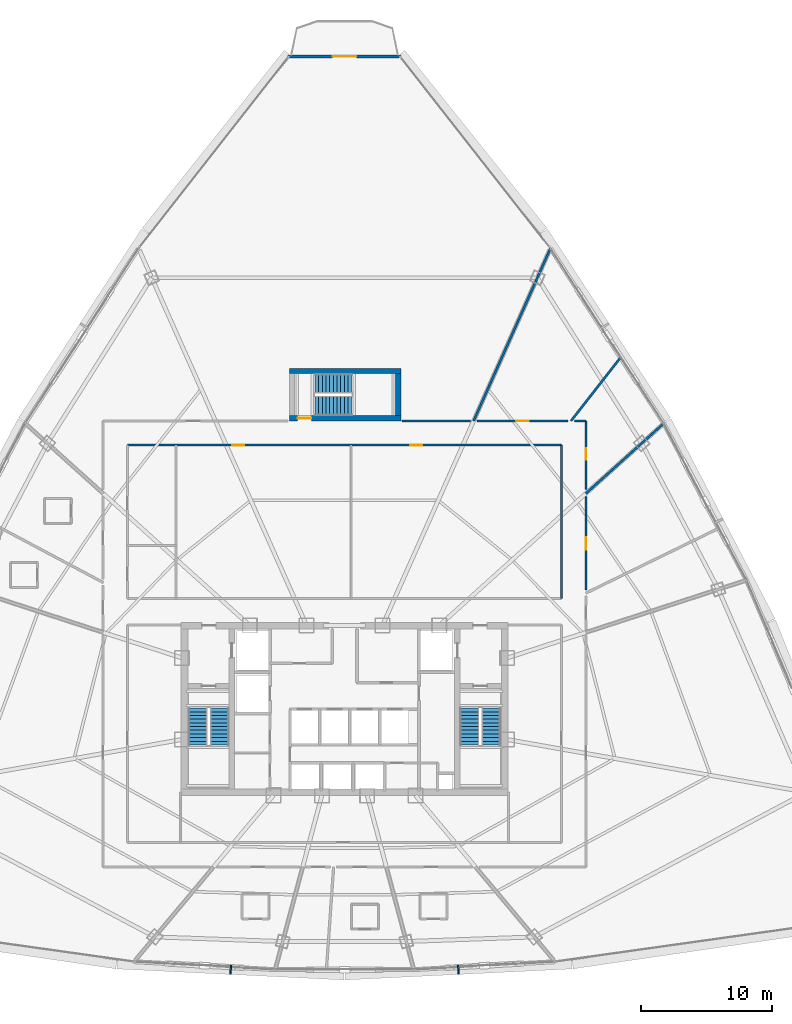
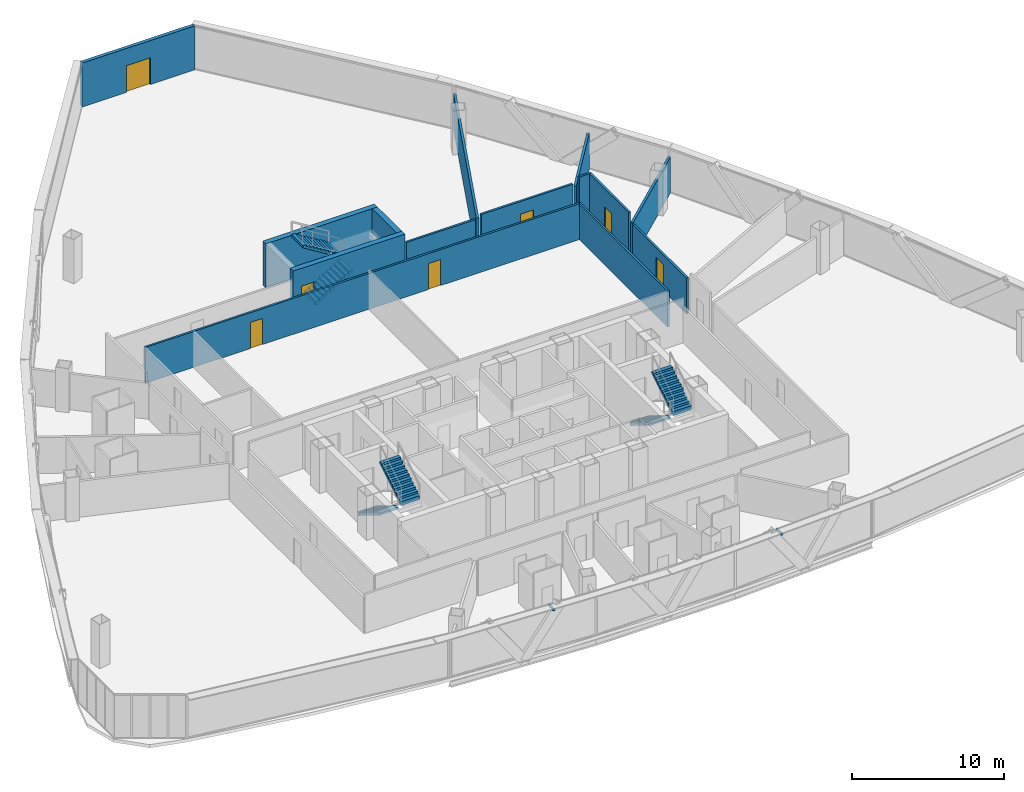
# One storey, part 35 of 40: 14 walls, 7 doors, 6 stair flights, 2 discrete accessories, 7 openings, 3 elements without a shape of their own.
"""IFC4 building model written with IfcOpenShell, lengths in metres."""

from ifc_helpers import new_model, si_unit, direction, frame, frame_2d, origin, origin_with_axes, origin_2d, place, context, subcontext, project, spatial, polyline, rectangle, outline, extrude, source, transform, mapped, material, layer, layer_set, type_object, element, fill, aggregate, save


model = new_model("IFC4")

# Units and contexts
model_context = context("Model", 3, precision=1e-05, world=origin(), true_north=direction((0.0, 1.0)))
body_context = subcontext(model_context, "Body", "Model", "MODEL_VIEW")
ifc_project = project(units=[si_unit("LENGTHUNIT", "METRE"), si_unit("AREAUNIT", "SQUARE_METRE"), si_unit("VOLUMEUNIT", "CUBIC_METRE"), si_unit("PLANEANGLEUNIT", "RADIAN"), si_unit("MASSUNIT", "GRAM", prefix="KILO"), si_unit("THERMODYNAMICTEMPERATUREUNIT", "KELVIN"), si_unit("POWERUNIT", "WATT")], contexts=[model_context])

# Site, building, storey
site_placement = place(None, origin())
site = spatial("IfcSite", under=ifc_project, at=site_placement, CompositionType="ELEMENT")
building_placement = place(site_placement, origin())
building = spatial("IfcBuilding", under=site, at=building_placement, Name="Yunzhuo Pagoda Commons", CompositionType="ELEMENT")
storey_placement = place(building_placement, frame((0.0, 0.0, 184.760009765625)))
storey = spatial("IfcBuildingStorey", under=building, at=storey_placement, Name="L46", CompositionType="ELEMENT", Elevation=184.760009765625)

# Wall, opening, door
ifc_material_1 = material(Name="Precast concrete C40", Category="concrete")
ifc_layer_1 = layer(ifc_material_1, 0.260009765625)
ifc_layer_set_1 = layer_set([ifc_layer_1], Name="Precast concrete C40")
wall_type_1 = type_object("IfcWallType", Name="W-BAL1 Corner Balcony Threshold Wall 260", PredefinedType="STANDARD", material=ifc_layer_set_1)
wall_1_placement = place(storey_placement, frame((52.290283203125, 83.582763671875, 0.0), z_axis=(0.0, 0.0, 1.0), x_axis=(-1.0, 0.0, 0.0)))
wall_1 = element("IfcWall", 1, at=wall_1_placement, inside=storey, type_object=wall_type_1, Name="L46 corner balcony wall V3", PredefinedType="STANDARD", context=body_context, shape_type="SweptSolid", body=[
    extrude(rectangle(XDim=8.58056640625, YDim=0.260009765625, at=frame_2d((4.290283203125, 0.0))), origin(), (0.0, 0.0, 1.0), 3.5400390625),
])
opening_1_placement = place(wall_1_placement, frame((3.390380859375, 0.0, 0.0)))
opening_1 = element("IfcOpeningElement", 2, at=opening_1_placement, cuts=wall_1, Name="Opening D-BAL1", PredefinedType="OPENING", context=body_context, shape_type="SweptSolid", body=[
    extrude(rectangle(XDim=1.800048828125, YDim=2.14990234375, at=frame_2d((0.89990234375, 1.074951171875))), frame((0.0, 0.14013671875, 0.0), z_axis=(0.0, -1.0, 0.0), x_axis=(1.0, 0.0, 0.0)), (0.0, 0.0, 1.0), 0.280029296875),
])
ifc_material_2 = material(Name="Anodized aluminium frame and tempered glazed leaf", Category="aluminium")
door_type_1 = type_object("IfcDoorType", Name="D-BAL1 Corner Balcony Sliding Glazed Door 1800x2150", OperationType="DOUBLE_DOOR_SLIDING", PredefinedType="DOOR", material=ifc_material_2)
shared_shape_1 = source(origin(), body_context, "Body", "SweptSolid", [
    extrude(rectangle(XDim=1.800048828125, YDim=2.14990234375, at=frame_2d((0.89990234375, 1.074951171875))), frame((0.0, 0.02490234375, 0.0), z_axis=(0.0, -1.0, 0.0), x_axis=(1.0, 0.0, 0.0)), (0.0, 0.0, 1.0), 0.050048828125),
])
door_1_placement = place(opening_1_placement, origin_with_axes())
door_1 = element("IfcDoor", 3, at=door_1_placement, inside=storey, type_object=door_type_1, Name="L46 corner balcony sliding door V3", OperationType="DOUBLE_DOOR_SLIDING", OverallHeight=2.14990234375, OverallWidth=1.800048828125, PredefinedType="DOOR", context=body_context, shape_type="MappedRepresentation", body=[
    mapped(shared_shape_1, transform((0.0, 0.0, 0.0), scale=1.0)),
])
fill(opening_1, door_1)

# Wall, openings, doors
ifc_material_3 = material(Name="Gypsum plasterboard on acoustic stud")
ifc_layer_2 = layer(ifc_material_3, 0.155029296875)
ifc_layer_set_2 = layer_set([ifc_layer_2], Name="Gypsum plasterboard on acoustic stud")
wall_type_2 = type_object("IfcWallType", Name="W-COR2 Mid-Zone Rated Corridor Wall 155", PredefinedType="PARTITIONING", material=ifc_layer_set_2)
wall_2_placement = place(storey_placement, frame((31.449951171875, 53.949951171875, 0.0), z_axis=(0.0, 0.0, 1.0), x_axis=(1.0, 0.0, 0.0)))
wall_2 = element("IfcWall", 4, at=wall_2_placement, inside=storey, type_object=wall_type_2, Name="L46 interior wall IW-L46-MCNN", PredefinedType="PARTITIONING", context=body_context, shape_type="SweptSolid", body=[
    extrude(rectangle(XDim=33.10009765625, YDim=0.155029296875, at=frame_2d((16.550048828125, 0.0))), origin(), (0.0, 0.0, 1.0), 2.889892578125),
])
opening_2_placement = place(wall_2_placement, frame((8.0, 0.0, 0.0)))
opening_2 = element("IfcOpeningElement", 5, at=opening_2_placement, cuts=wall_2, Name="Opening D-04", PredefinedType="OPENING", context=body_context, shape_type="SweptSolid", body=[
    extrude(rectangle(XDim=0.919921875, YDim=2.10009765625, at=frame_2d((0.4599609375, 1.050048828125))), frame((0.0, 0.08740234375, 0.0), z_axis=(0.0, -1.0, 0.0), x_axis=(1.0, 0.0, 0.0)), (0.0, 0.0, 1.0), 0.175048828125),
])
opening_3_placement = place(wall_2_placement, frame((21.550048828125, 0.0, 0.0)))
opening_3 = element("IfcOpeningElement", 6, at=opening_3_placement, cuts=wall_2, Name="Opening D-04", PredefinedType="OPENING", context=body_context, shape_type="SweptSolid", body=[
    extrude(rectangle(XDim=0.919921875, YDim=2.10009765625, at=frame_2d((0.4599609375, 1.050048828125))), frame((0.0, 0.08740234375, 0.0), z_axis=(0.0, -1.0, 0.0), x_axis=(1.0, 0.0, 0.0)), (0.0, 0.0, 1.0), 0.175048828125),
])
ifc_material_4 = material(Name="Powder-coated aluminium and timber acoustic leaf", Category="wood")
door_type_2 = type_object("IfcDoorType", Name="D-04 Bedroom & Study Interior Door 920x2100", OperationType="NOTDEFINED", PredefinedType="DOOR", material=ifc_material_4)
shared_shape_2 = source(origin(), body_context, "Body", "SweptSolid", [
    extrude(rectangle(XDim=0.919921875, YDim=2.10009765625, at=frame_2d((0.4599609375, 1.050048828125))), frame((0.0, 0.02490234375, 0.0), z_axis=(0.0, -1.0, 0.0), x_axis=(1.0, 0.0, 0.0)), (0.0, 0.0, 1.0), 0.050048828125),
])
door_2_placement = place(opening_2_placement, origin_with_axes())
door_2 = element("IfcDoor", 7, at=door_2_placement, inside=storey, type_object=door_type_2, Name="L46 reading commons door", OperationType="SINGLE_SWING_LEFT", OverallHeight=2.10009765625, OverallWidth=0.919921875, PredefinedType="DOOR", context=body_context, shape_type="MappedRepresentation", body=[
    mapped(shared_shape_2, transform((0.0, 0.0, 0.0), scale=1.0)),
])
fill(opening_2, door_2)
door_3_placement = place(opening_3_placement, origin_with_axes())
door_3 = element("IfcDoor", 8, at=door_3_placement, inside=storey, type_object=door_type_2, Name="L46 seminar commons door", OperationType="SINGLE_SWING_RIGHT", OverallHeight=2.10009765625, OverallWidth=0.919921875, PredefinedType="DOOR", context=body_context, shape_type="MappedRepresentation", body=[
    mapped(shared_shape_2, transform((0.0, 0.0, 0.0), scale=1.0)),
])
fill(opening_3, door_3)

# Walls
wall_3_placement = place(storey_placement, frame((64.550048828125, 42.25, 0.0), z_axis=(0.0, 0.0, 1.0), x_axis=(0.0, 1.0, 0.0)))
element("IfcWall", 9, at=wall_3_placement, inside=storey, type_object=wall_type_2, Name="L46 interior wall IW-L46-MCNE", PredefinedType="PARTITIONING", context=body_context, shape_type="SweptSolid", body=[
    extrude(rectangle(XDim=11.699951171875, YDim=0.155029296875, at=frame_2d((5.85009765625, 0.0))), origin(), (0.0, 0.0, 1.0), 2.889892578125),
])
wall_4_placement = place(storey_placement, frame((52.39111328125, 55.800048828125, 0.0), z_axis=(0.0, 0.0, 1.0), x_axis=(1.0, 0.0, 0.0)))
element("IfcWall", 10, at=wall_4_placement, inside=storey, type_object=wall_type_2, Name="L46 interior wall IW-L46-CWL06", PredefinedType="PARTITIONING", context=body_context, shape_type="SweptSolid", body=[
    extrude(rectangle(XDim=5.228759765625, YDim=0.155029296875, at=frame_2d((2.6142578125, 0.0))), origin(), (0.0, 0.0, 1.0), 2.889892578125),
])

# Wall, opening, door
wall_5_placement = place(storey_placement, frame((58.080322265625, 55.800048828125, 0.0), z_axis=(0.0, 0.0, 1.0), x_axis=(1.0, 0.0, 0.0)))
wall_5 = element("IfcWall", 11, at=wall_5_placement, inside=storey, type_object=wall_type_2, Name="L46 interior wall IW-L46-CWL07", PredefinedType="PARTITIONING", context=body_context, shape_type="SweptSolid", body=[
    extrude(rectangle(XDim=6.96630859375, YDim=0.155029296875, at=frame_2d((3.483154296875, 0.0))), origin(), (0.0, 0.0, 1.0), 3.139892578125),
])
opening_4_placement = place(wall_5_placement, frame((2.99755859375, 0.0, 0.0)))
opening_4 = element("IfcOpeningElement", 12, at=opening_4_placement, cuts=wall_5, Name="Opening D-07", PredefinedType="OPENING", context=body_context, shape_type="SweptSolid", body=[
    extrude(rectangle(XDim=0.9599609375, YDim=2.1201171875, at=frame_2d((0.47998046875, 1.06005859375))), frame((0.0, 0.08740234375, 0.0), z_axis=(0.0, -1.0, 0.0), x_axis=(1.0, 0.0, 0.0)), (0.0, 0.0, 1.0), 0.175048828125),
])
ifc_material_5 = material(Name="Galvanized fire-resisting metal leaf")
door_type_3 = type_object("IfcDoorType", Name="D-07 Mid-Zone Suite Entrance Fire Door 960x2120", OperationType="NOTDEFINED", PredefinedType="DOOR", material=ifc_material_5)
shared_shape_3 = source(origin(), body_context, "Body", "SweptSolid", [
    extrude(rectangle(XDim=0.9599609375, YDim=2.1201171875, at=frame_2d((0.47998046875, 1.06005859375))), frame((0.0, 0.02490234375, 0.0), z_axis=(0.0, -1.0, 0.0), x_axis=(1.0, 0.0, 0.0)), (0.0, 0.0, 1.0), 0.050048828125),
])
door_4_placement = place(opening_4_placement, origin_with_axes())
door_4 = element("IfcDoor", 13, at=door_4_placement, inside=storey, type_object=door_type_3, Name="L46 unit 04 entrance door", OperationType="SINGLE_SWING_RIGHT", OverallHeight=2.1201171875, OverallWidth=0.9599609375, PredefinedType="DOOR", context=body_context, shape_type="MappedRepresentation", body=[
    mapped(shared_shape_3, transform((0.0, 0.0, 0.0), scale=1.0)),
])
fill(opening_4, door_4)

# Wall
wall_6_placement = place(storey_placement, frame((65.545654296875, 55.800048828125, 0.0), z_axis=(0.0, 0.0, 1.0), x_axis=(1.0, 0.0, 0.0)))
element("IfcWall", 14, at=wall_6_placement, inside=storey, type_object=wall_type_2, Name="L46 interior wall IW-L46-CWL08", PredefinedType="PARTITIONING", context=body_context, shape_type="SweptSolid", body=[
    extrude(rectangle(XDim=0.854248046875, YDim=0.155029296875, at=frame_2d((0.42724609375, 0.0))), origin(), (0.0, 0.0, 1.0), 3.5400390625),
])

# Wall, opening, door
wall_7_placement = place(storey_placement, frame((66.39990234375, 55.800048828125, 0.0), z_axis=(0.0, 0.0, 1.0), x_axis=(0.0, -1.0, 0.0)))
wall_7 = element("IfcWall", 15, at=wall_7_placement, inside=storey, type_object=wall_type_2, Name="L46 interior wall IW-L46-CWL09", PredefinedType="PARTITIONING", context=body_context, shape_type="SweptSolid", body=[
    extrude(rectangle(XDim=5.236572265625, YDim=0.155029296875, at=frame_2d((2.6181640625, 0.0))), origin(), (0.0, 0.0, 1.0), 3.5400390625),
])
opening_5_placement = place(wall_7_placement, frame((2.076416015625, 0.0, 0.0)))
opening_5 = element("IfcOpeningElement", 16, at=opening_5_placement, cuts=wall_7, Name="Opening D-12", PredefinedType="OPENING", context=body_context, shape_type="SweptSolid", body=[
    extrude(rectangle(XDim=0.89990234375, YDim=2.080078125, at=frame_2d((0.449951171875, 1.0400390625))), frame((0.0, 0.08740234375, 0.0), z_axis=(0.0, -1.0, 0.0), x_axis=(1.0, 0.0, 0.0)), (0.0, 0.0, 1.0), 0.175048828125),
])
door_type_4 = type_object("IfcDoorType", Name="D-12 Quiet Study Interior Door 900x2080", OperationType="NOTDEFINED", PredefinedType="DOOR", material=ifc_material_4)
shared_shape_4 = source(origin(), body_context, "Body", "SweptSolid", [
    extrude(rectangle(XDim=0.89990234375, YDim=2.080078125, at=frame_2d((0.449951171875, 1.0400390625))), frame((0.0, 0.02490234375, 0.0), z_axis=(0.0, -1.0, 0.0), x_axis=(1.0, 0.0, 0.0)), (0.0, 0.0, 1.0), 0.050048828125),
])
door_5_placement = place(opening_5_placement, origin_with_axes())
door_5 = element("IfcDoor", 17, at=door_5_placement, inside=storey, type_object=door_type_4, Name="L46 study lounge 03 door", OperationType="SINGLE_SWING_LEFT", OverallHeight=2.080078125, OverallWidth=0.89990234375, PredefinedType="DOOR", context=body_context, shape_type="MappedRepresentation", body=[
    mapped(shared_shape_4, transform((0.0, 0.0, 0.0), scale=1.0)),
])
fill(opening_5, door_5)

wall_8_placement = place(storey_placement, frame((66.39990234375, 50.047607421875, 0.0), z_axis=(0.0, 0.0, 1.0), x_axis=(0.0, -1.0, 0.0)))
wall_8 = element("IfcWall", 18, at=wall_8_placement, inside=storey, type_object=wall_type_2, Name="L46 interior wall IW-L46-CWL10", PredefinedType="PARTITIONING", context=body_context, shape_type="SweptSolid", body=[
    extrude(rectangle(XDim=7.12841796875, YDim=0.155029296875, at=frame_2d((3.564208984375, 0.0))), origin(), (0.0, 0.0, 1.0), 2.889892578125),
])
opening_6_placement = place(wall_8_placement, frame((3.101806640625, 0.0, 0.0)))
opening_6 = element("IfcOpeningElement", 19, at=opening_6_placement, cuts=wall_8, Name="Opening D-07", PredefinedType="OPENING", context=body_context, shape_type="SweptSolid", body=[
    extrude(rectangle(XDim=0.9599609375, YDim=2.1201171875, at=frame_2d((0.47998046875, 1.06005859375))), frame((0.0, 0.08740234375, 0.0), z_axis=(0.0, -1.0, 0.0), x_axis=(1.0, 0.0, 0.0)), (0.0, 0.0, 1.0), 0.175048828125),
])
door_6_placement = place(opening_6_placement, origin_with_axes())
door_6 = element("IfcDoor", 20, at=door_6_placement, inside=storey, type_object=door_type_3, Name="L46 unit 02 entrance door", OperationType="SINGLE_SWING_RIGHT", OverallHeight=2.1201171875, OverallWidth=0.9599609375, PredefinedType="DOOR", context=body_context, shape_type="MappedRepresentation", body=[
    mapped(shared_shape_3, transform((0.0, 0.0, 0.0), scale=1.0)),
])
fill(opening_6, door_6)

# Walls
ifc_layer_3 = layer(ifc_material_3, 0.175048828125)
ifc_layer_set_3 = layer_set([ifc_layer_3], Name="Gypsum plasterboard on acoustic stud")
wall_type_3 = type_object("IfcWallType", Name="W-PRT3 Mid-Zone Demising Wall 175", PredefinedType="PARTITIONING", material=ifc_layer_set_3)
wall_9_placement = place(storey_placement, frame((66.39990234375, 50.267333984375, 0.0), z_axis=(0.0, 0.0, 1.0), x_axis=(0.743139097079, 0.669136968335, 0.0)))
element("IfcWall", 21, at=wall_9_placement, inside=storey, type_object=wall_type_3, Name="L46 interior wall IW-L46-RAD03", PredefinedType="PARTITIONING", context=body_context, shape_type="SweptSolid", body=[
    extrude(rectangle(XDim=7.987060546875, YDim=0.175048828125, at=frame_2d((3.99365234375, 0.0))), origin(), (0.0, 0.0, 1.0), 2.889892578125),
])
wall_10_placement = place(storey_placement, frame((65.266357421875, 55.800048828125, 0.0), z_axis=(0.0, 0.0, 1.0), x_axis=(0.615677811369, 0.787997990218, 0.0)))
element("IfcWall", 22, at=wall_10_placement, inside=storey, type_object=wall_type_3, Name="L46 interior wall IW-L46-RAD04", PredefinedType="PARTITIONING", context=body_context, shape_type="SweptSolid", body=[
    extrude(rectangle(XDim=6.1728515625, YDim=0.175048828125, at=frame_2d((3.08642578125, 0.0))), origin(), (0.0, 0.0, 1.0), 2.889892578125),
])
wall_11_placement = place(storey_placement, frame((57.839599609375, 55.800048828125, 0.0), z_axis=(0.0, 0.0, 1.0), x_axis=(0.40674529891, 0.913541603768, 0.0)))
element("IfcWall", 23, at=wall_11_placement, inside=storey, type_object=wall_type_3, Name="L46 interior wall IW-L46-RAD05", PredefinedType="PARTITIONING", context=body_context, shape_type="SweptSolid", body=[
    extrude(rectangle(XDim=14.40673828125, YDim=0.175048828125, at=frame_2d((7.203369140625, 0.0))), origin(), (0.0, 0.0, 1.0), 2.889892578125),
])
ifc_material_6 = material(Name="Concrete C60", Category="concrete")
ifc_layer_4 = layer(ifc_material_6, 0.39990234375)
ifc_layer_set_4 = layer_set([ifc_layer_4], Name="Concrete C60")
wall_type_4 = type_object("IfcWallType", Name="W-S01 Internal Core Shear Web 400", PredefinedType="SHEAR", material=ifc_layer_set_4)
wall_12_placement = place(storey_placement, frame((43.800048828125, 59.60009765625, 0.0), z_axis=(0.0, 0.0, 1.0), x_axis=(1.0, 0.0, 0.0)))
element("IfcWall", 24, at=wall_12_placement, inside=storey, type_object=wall_type_4, Name="L46 ST3 structural stair wall N", PredefinedType="SHEAR", context=body_context, shape_type="SweptSolid", body=[
    extrude(rectangle(XDim=8.5, YDim=0.39990234375, at=frame_2d((4.25, 0.0))), origin(), (0.0, 0.0, 1.0), 3.5400390625),
])

# Wall, opening, door
wall_13_placement = place(storey_placement, frame((43.800048828125, 56.0, 0.0), z_axis=(0.0, 0.0, 1.0), x_axis=(1.0, 0.0, 0.0)))
wall_13 = element("IfcWall", 25, at=wall_13_placement, inside=storey, type_object=wall_type_4, Name="L46 ST3 structural stair wall S", PredefinedType="SHEAR", context=body_context, shape_type="SweptSolid", body=[
    extrude(rectangle(XDim=8.5, YDim=0.39990234375, at=frame_2d((4.25, 0.0))), origin(), (0.0, 0.0, 1.0), 3.5400390625),
])
opening_7_placement = place(wall_13_placement, frame((0.6201171875, 0.0, 0.0)))
opening_7 = element("IfcOpeningElement", 26, at=opening_7_placement, cuts=wall_13, Name="Opening D-01", PredefinedType="OPENING", context=body_context, shape_type="SweptSolid", body=[
    extrude(rectangle(XDim=1.050048828125, YDim=2.10009765625, at=frame_2d((0.52490234375, 1.050048828125))), frame((0.0, 0.2099609375, 0.0), z_axis=(0.0, -1.0, 0.0), x_axis=(1.0, 0.0, 0.0)), (0.0, 0.0, 1.0), 0.419921875),
])
door_type_5 = type_object("IfcDoorType", Name="D-01 Smokeproof Stair Fire Door 1050x2100", OperationType="NOTDEFINED", PredefinedType="DOOR", material=ifc_material_5)
shared_shape_5 = source(origin(), body_context, "Body", "SweptSolid", [
    extrude(rectangle(XDim=1.050048828125, YDim=2.10009765625, at=frame_2d((0.52490234375, 1.050048828125))), frame((0.0, 0.02490234375, 0.0), z_axis=(0.0, -1.0, 0.0), x_axis=(1.0, 0.0, 0.0)), (0.0, 0.0, 1.0), 0.050048828125),
])
door_7_placement = place(opening_7_placement, frame((1.050048828125, 0.0, 0.0), z_axis=(0.0, 0.0, 1.0), x_axis=(-1.0, 0.0, 0.0)))
door_7 = element("IfcDoor", 27, at=door_7_placement, inside=storey, type_object=door_type_5, Name="L46 Stair ST3 fire door", OperationType="SINGLE_SWING_LEFT", OverallHeight=2.10009765625, OverallWidth=1.050048828125, PredefinedType="DOOR", context=body_context, shape_type="MappedRepresentation", body=[
    mapped(shared_shape_5, transform((0.0, 0.0, 0.0), scale=1.0)),
])
fill(opening_7, door_7)

# Wall
wall_14_placement = place(storey_placement, frame((52.10009765625, 56.199951171875, 0.0), z_axis=(0.0, 0.0, 1.0), x_axis=(0.0, 1.0, 0.0)))
element("IfcWall", 28, at=wall_14_placement, inside=storey, type_object=wall_type_4, Name="L46 ST3 structural stair wall E", PredefinedType="SHEAR", context=body_context, shape_type="SweptSolid", body=[
    extrude(rectangle(XDim=3.199951171875, YDim=0.39990234375, at=frame_2d((1.60009765625, 0.0))), origin(), (0.0, 0.0, 1.0), 3.5400390625),
])

# Stair, stair flights
ifc_material_7 = material(Name="Concrete C40", Category="concrete")
stair_type_1 = type_object("IfcStairType", Name="ST-C1 Core Smokeproof Stair ST1", PredefinedType="HALF_TURN_STAIR", material=ifc_material_7)
stair_1_placement = place(storey_placement, origin())
stair_1 = element("IfcStair", 29, at=stair_1_placement, inside=storey, type_object=stair_type_1, Name="L46 Core smokeproof stair ST1", PredefinedType="HALF_TURN_STAIR")
stair_flight_type_1 = type_object("IfcStairFlightType", Name="STF-C1 Core Stair Flight 1450", PredefinedType="STRAIGHT", material=ifc_material_7)
shared_shape_6 = source(origin(), body_context, "Body", "SweptSolid", [
    extrude(outline(polyline([(0.0, -0.14990234375), (0.0, 0.0), (0.0, 0.172607421875), (0.280029296875, 0.172607421875), (0.280029296875, 0.345458984375), (0.56005859375, 0.345458984375), (0.56005859375, 0.51806640625), (0.840087890625, 0.51806640625), (0.840087890625, 0.69091796875), (1.1201171875, 0.69091796875), (1.1201171875, 0.863525390625), (1.39990234375, 0.863525390625), (1.39990234375, 1.036376953125), (1.679931640625, 1.036376953125), (1.679931640625, 1.208984375), (1.9599609375, 1.208984375), (1.9599609375, 1.3818359375), (2.239990234375, 1.3818359375), (2.239990234375, 1.554443359375), (2.52001953125, 1.554443359375), (2.52001953125, 1.727294921875), (2.800048828125, 1.727294921875), (2.800048828125, 1.89990234375), (2.800048828125, 1.551025390625), (0.285400390625, 0.0), (0.050048828125, -0.14990234375), (0.0, -0.14990234375)])), frame((0.0, 0.72509765625, 0.0), z_axis=(0.0, -1.0, 0.0), x_axis=(1.0, 0.0, 0.0)), (0.0, 0.0, 1.0), 1.449951171875),
])
stair_flight_1_placement = place(storey_placement, frame((36.824951171875, 33.89990234375, 0.0), z_axis=(0.0, 0.0, 1.0), x_axis=(0.0, -1.0, 0.0)))
stair_flight_1 = element("IfcStairFlight", 30, at=stair_flight_1_placement, type_object=stair_flight_type_1, Name="ST1 flight 1", NumberOfRisers=11, NumberOfTreads=10, PredefinedType="STRAIGHT", RiserHeight=0.172727273, TreadLength=0.28, context=body_context, shape_type="MappedRepresentation", body=[
    mapped(shared_shape_6, transform((0.0, 0.0, 0.0), scale=1.0)),
])
stair_flight_2_placement = place(storey_placement, frame((38.47509765625, 31.10009765625, 1.89990234375), z_axis=(0.0, 0.0, 1.0), x_axis=(0.0, 1.0, 0.0)))
stair_flight_2 = element("IfcStairFlight", 31, at=stair_flight_2_placement, type_object=stair_flight_type_1, Name="ST1 flight 2", NumberOfRisers=11, NumberOfTreads=10, PredefinedType="STRAIGHT", RiserHeight=0.172727273, TreadLength=0.28, context=body_context, shape_type="MappedRepresentation", body=[
    mapped(shared_shape_6, transform((0.0, 0.0, 0.0), scale=1.0)),
])
aggregate(stair_1, [stair_flight_1, stair_flight_2])

stair_type_2 = type_object("IfcStairType", Name="ST-C2 Core Smokeproof Stair ST2", PredefinedType="HALF_TURN_STAIR", material=ifc_material_7)
stair_2_placement = place(storey_placement, origin())
stair_2 = element("IfcStair", 32, at=stair_2_placement, inside=storey, type_object=stair_type_2, Name="L46 Core smokeproof stair ST2", PredefinedType="HALF_TURN_STAIR")
stair_flight_type_2 = type_object("IfcStairFlightType", Name="STF-C2 Core Stair Flight 1460", PredefinedType="STRAIGHT", material=ifc_material_7)
stair_flight_3_placement = place(storey_placement, frame((57.52490234375, 33.89990234375, 0.0), z_axis=(0.0, 0.0, 1.0), x_axis=(0.0, -1.0, 0.0)))
stair_flight_3 = element("IfcStairFlight", 33, at=stair_flight_3_placement, type_object=stair_flight_type_2, Name="ST2 flight 1", NumberOfRisers=11, NumberOfTreads=10, PredefinedType="STRAIGHT", RiserHeight=0.172727273, TreadLength=0.28, context=body_context, shape_type="MappedRepresentation", body=[
    mapped(shared_shape_6, transform((0.0, 0.0, 0.0), scale=1.0)),
])
stair_flight_4_placement = place(storey_placement, frame((59.175048828125, 31.10009765625, 1.89990234375), z_axis=(0.0, 0.0, 1.0), x_axis=(0.0, 1.0, 0.0)))
stair_flight_4 = element("IfcStairFlight", 34, at=stair_flight_4_placement, type_object=stair_flight_type_2, Name="ST2 flight 2", NumberOfRisers=11, NumberOfTreads=10, PredefinedType="STRAIGHT", RiserHeight=0.172727273, TreadLength=0.28, context=body_context, shape_type="MappedRepresentation", body=[
    mapped(shared_shape_6, transform((0.0, 0.0, 0.0), scale=1.0)),
])
aggregate(stair_2, [stair_flight_3, stair_flight_4])

stair_type_3 = type_object("IfcStairType", Name="ST-C3 North Tower Smokeproof Stair ST3", PredefinedType="HALF_TURN_STAIR", material=ifc_material_7)
stair_3_placement = place(storey_placement, origin())
stair_3 = element("IfcStair", 35, at=stair_3_placement, inside=storey, type_object=stair_type_3, Name="L46 North tower smokeproof stair ST3", PredefinedType="HALF_TURN_STAIR")
stair_flight_type_3 = type_object("IfcStairFlightType", Name="STF-C3 North Stair Flight 1500", PredefinedType="STRAIGHT", material=ifc_material_7)
shared_shape_7 = source(origin(), body_context, "Body", "SweptSolid", [
    extrude(outline(polyline([(0.0, -0.14990234375), (0.0, 0.0), (0.0, 0.172607421875), (0.280029296875, 0.172607421875), (0.280029296875, 0.345458984375), (0.56005859375, 0.345458984375), (0.56005859375, 0.51806640625), (0.840087890625, 0.51806640625), (0.840087890625, 0.69091796875), (1.1201171875, 0.69091796875), (1.1201171875, 0.863525390625), (1.39990234375, 0.863525390625), (1.39990234375, 1.036376953125), (1.679931640625, 1.036376953125), (1.679931640625, 1.208984375), (1.9599609375, 1.208984375), (1.9599609375, 1.3818359375), (2.239990234375, 1.3818359375), (2.239990234375, 1.554443359375), (2.52001953125, 1.554443359375), (2.52001953125, 1.727294921875), (2.800048828125, 1.727294921875), (2.800048828125, 1.89990234375), (2.800048828125, 1.551025390625), (0.285400390625, 0.0), (0.050048828125, -0.14990234375), (0.0, -0.14990234375)])), frame((0.0, 0.75, 0.0), z_axis=(0.0, -1.0, 0.0), x_axis=(1.0, 0.0, 0.0)), (0.0, 0.0, 1.0), 1.5),
])
stair_flight_5_placement = place(storey_placement, frame((45.75, 56.949951171875, 0.0), z_axis=(0.0, 0.0, 1.0), x_axis=(1.0, 0.0, 0.0)))
stair_flight_5 = element("IfcStairFlight", 36, at=stair_flight_5_placement, type_object=stair_flight_type_3, Name="ST3 flight 1", NumberOfRisers=11, NumberOfTreads=10, PredefinedType="STRAIGHT", RiserHeight=0.172727273, TreadLength=0.28, context=body_context, shape_type="MappedRepresentation", body=[
    mapped(shared_shape_7, transform((0.0, 0.0, 0.0), scale=1.0)),
])
stair_flight_6_placement = place(storey_placement, frame((48.550048828125, 58.64990234375, 1.89990234375), z_axis=(0.0, 0.0, 1.0), x_axis=(-1.0, 0.0, 0.0)))
stair_flight_6 = element("IfcStairFlight", 37, at=stair_flight_6_placement, type_object=stair_flight_type_3, Name="ST3 flight 2", NumberOfRisers=11, NumberOfTreads=10, PredefinedType="STRAIGHT", RiserHeight=0.172727273, TreadLength=0.28, context=body_context, shape_type="MappedRepresentation", body=[
    mapped(shared_shape_7, transform((0.0, 0.0, 0.0), scale=1.0)),
])
aggregate(stair_3, [stair_flight_5, stair_flight_6])

# Discrete accessories
ifc_material_8 = material(Name="Anodized aluminium 6063-T6", Category="aluminium")
discrete_accessory_type = type_object("IfcDiscreteAccessoryType", Name="BK-SUN1 Sunshade Outrigger Bracket", PredefinedType="BRACKET", material=ifc_material_8)
shared_shape_8 = source(origin(), body_context, "Body", "SweptSolid", [
    extrude(rectangle(XDim=0.1201171875, YDim=0.679931640625, at=origin_2d()), origin(), (0.0, 0.0, 1.0), 0.179931640625),
])
for number, where, z_axis, x_axis, name in (
    (38, (39.32421875, 13.966552734375, 3.330078125), (0.0, 0.0, 1.0), (0.998818043775, -0.04860571396, 0.0), "L46 sunshade outrigger bracket F1.2"),
    (39, (56.67578125, 13.966552734375, 3.330078125), (0.0, 0.0, 1.0), (0.998818043775, 0.04860571396, 0.0), "L46 sunshade outrigger bracket F1.3"),
):
    element("IfcDiscreteAccessory", number, at=place(storey_placement, frame(where, z_axis=z_axis, x_axis=x_axis)), inside=storey, type_object=discrete_accessory_type, Name=name, PredefinedType="BRACKET", context=body_context, shape_type="MappedRepresentation", body=[
        mapped(shared_shape_8, transform((0.0, 0.0, 0.0), scale=1.0)),
    ])

save(model, "model.ifc")
